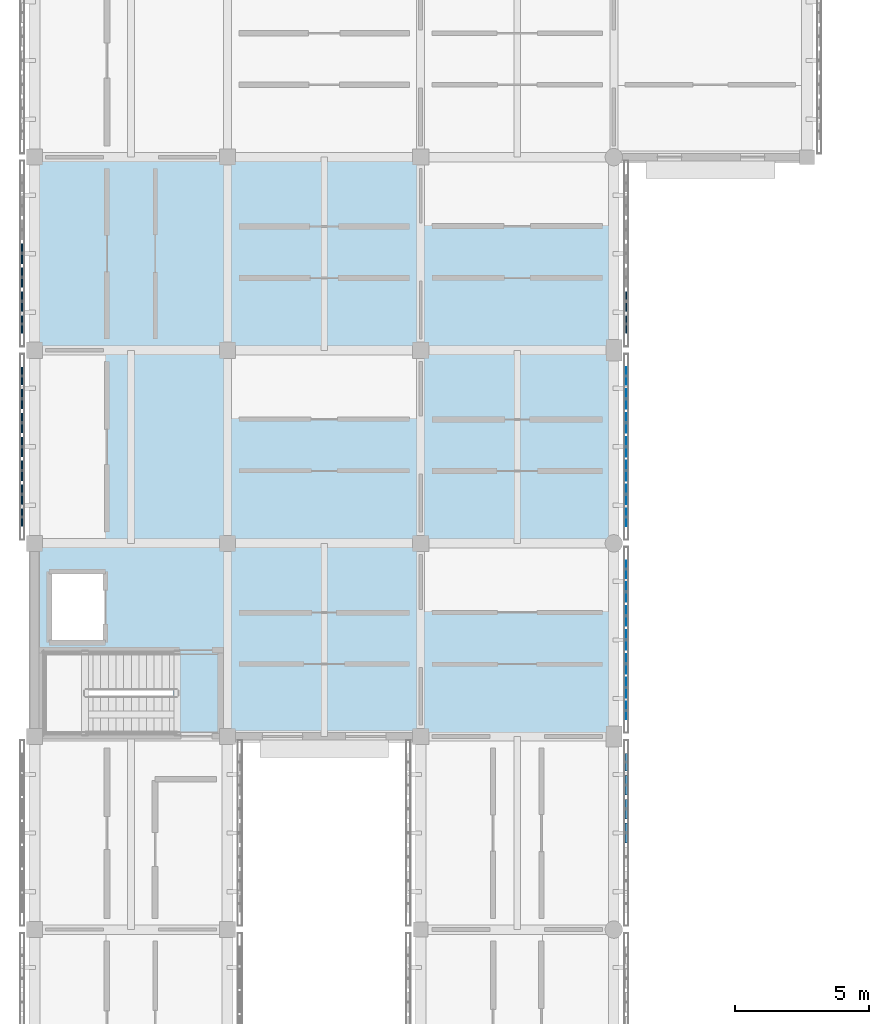
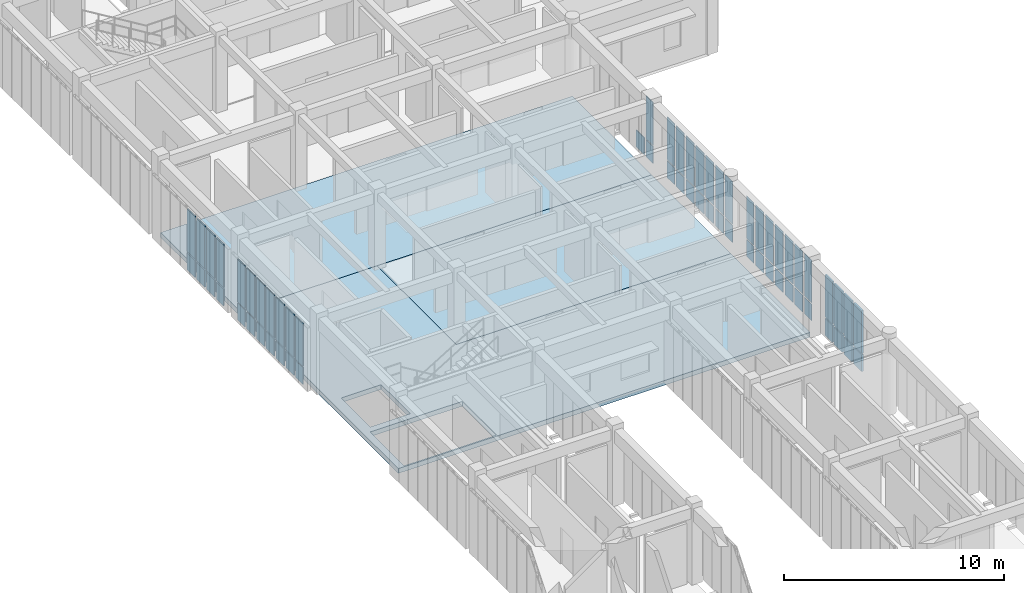
# One storey, part 95 of 171: 61 plates, 3 slabs, 6 elements without a shape of their own.
"""IFC4 building model written with IfcOpenShell, lengths in metres."""

from ifc_helpers import new_model, si_unit, direction, frame, origin, origin_2d, place, context, subcontext, project, spatial, polyline, rectangle, outline, extrude, material, layer, layer_set, type_object, element, aggregate, save


model = new_model("IFC4")

# Units and contexts
model_context = context("Model", 3, precision=1e-05, world=origin(), true_north=direction((0.0, 1.0)))
body_context = subcontext(model_context, "Body", "Model", "MODEL_VIEW")
ifc_project = project(units=[si_unit("LENGTHUNIT", "METRE"), si_unit("AREAUNIT", "SQUARE_METRE"), si_unit("VOLUMEUNIT", "CUBIC_METRE"), si_unit("PLANEANGLEUNIT", "RADIAN"), si_unit("MASSUNIT", "GRAM", prefix="KILO")], contexts=[model_context])

# Site, building, storey
site_placement = place(None, origin())
site = spatial("IfcSite", under=ifc_project, at=site_placement, CompositionType="ELEMENT")
building_placement = place(site_placement, origin())
building = spatial("IfcBuilding", under=site, at=building_placement, Name="Aldebral Square Health Centre", CompositionType="ELEMENT")
storey_placement = place(building_placement, frame((0.0, 0.0, 4.5)))
storey = spatial("IfcBuildingStorey", under=building, at=storey_placement, Name="L01", CompositionType="ELEMENT", Elevation=4.5)

# Curtain wall, plates
ifc_material_1 = material(Name="Aluminium and low-E solar glass", Category="aluminium")
curtain_wall_type = type_object("IfcCurtainWallType", Name="CW-FIN-SYS", PredefinedType="USERDEFINED", material=ifc_material_1)
curtain_wall_1_placement = place(storey_placement, origin())
curtain_wall_1 = element("IfcCurtainWall", 1, at=curtain_wall_1_placement, inside=storey, type_object=curtain_wall_type, Name="L01 V6 finned curtain wall L01-V6-02-04-E", ObjectType="SOLAR_CURTAIN_WALL", PredefinedType="USERDEFINED")
ifc_material_2 = material(Name="Solar-control low-E double glass", Category="glass")
ifc_layer_1 = layer(ifc_material_2, 0.02001953125, Name="Solar-control low-E double glass", Category="glass")
ifc_layer_set_1 = layer_set([ifc_layer_1], Name="Solar-control low-E double glass")
plate_type_1 = type_object("IfcPlateType", Name="CWP-GLZ-1", PredefinedType="CURTAIN_PANEL", material=ifc_layer_set_1)
plate_1_placement = place(storey_placement, frame((22.06005859375, 29.765625, 0.074951171875), z_axis=(0.0, 0.0, 1.0), x_axis=(0.0, 1.0, 0.0)))
plate_1 = element("IfcPlate", 2, at=plate_1_placement, type_object=plate_type_1, Name="CW1 panel 1.1", PredefinedType="CURTAIN_PANEL", context=body_context, shape_type="SweptSolid", body=[
    extrude(rectangle(XDim=0.6513671875, YDim=0.02001953125, at=origin_2d()), origin(), (0.0, 0.0, 1.0), 0.9375),
])
plate_2_placement = place(storey_placement, frame((22.06005859375, 29.765625, 1.087646484375), z_axis=(0.0, 0.0, 1.0), x_axis=(0.0, 1.0, 0.0)))
plate_2 = element("IfcPlate", 3, at=plate_2_placement, type_object=plate_type_1, Name="CW1 panel 1.2", PredefinedType="CURTAIN_PANEL", context=body_context, shape_type="SweptSolid", body=[
    extrude(rectangle(XDim=0.6513671875, YDim=0.02001953125, at=origin_2d()), origin(), (0.0, 0.0, 1.0), 2.357421875),
])
plate_3_placement = place(storey_placement, frame((22.06005859375, 30.6171875, 0.074951171875), z_axis=(0.0, 0.0, 1.0), x_axis=(0.0, 1.0, 0.0)))
plate_3 = element("IfcPlate", 4, at=plate_3_placement, type_object=plate_type_1, Name="CW1 panel 2.1", PredefinedType="CURTAIN_PANEL", context=body_context, shape_type="SweptSolid", body=[
    extrude(rectangle(XDim=0.7314453125, YDim=0.02001953125, at=origin_2d()), origin(), (0.0, 0.0, 1.0), 0.9375),
])
plate_4_placement = place(storey_placement, frame((22.06005859375, 30.6171875, 1.087646484375), z_axis=(0.0, 0.0, 1.0), x_axis=(0.0, 1.0, 0.0)))
plate_4 = element("IfcPlate", 5, at=plate_4_placement, type_object=plate_type_1, Name="CW1 panel 2.2", PredefinedType="CURTAIN_PANEL", context=body_context, shape_type="SweptSolid", body=[
    extrude(rectangle(XDim=0.7314453125, YDim=0.02001953125, at=origin_2d()), origin(), (0.0, 0.0, 1.0), 2.357421875),
])
plate_5_placement = place(storey_placement, frame((22.06005859375, 31.508544921875, 0.074951171875), z_axis=(0.0, 0.0, 1.0), x_axis=(0.0, 1.0, 0.0)))
plate_5 = element("IfcPlate", 6, at=plate_5_placement, type_object=plate_type_1, Name="CW1 panel 3.1", PredefinedType="CURTAIN_PANEL", context=body_context, shape_type="SweptSolid", body=[
    extrude(rectangle(XDim=0.7314453125, YDim=0.02001953125, at=origin_2d()), origin(), (0.0, 0.0, 1.0), 0.9375),
])
plate_6_placement = place(storey_placement, frame((22.06005859375, 31.508544921875, 1.087646484375), z_axis=(0.0, 0.0, 1.0), x_axis=(0.0, 1.0, 0.0)))
plate_6 = element("IfcPlate", 7, at=plate_6_placement, type_object=plate_type_1, Name="CW1 panel 3.2", PredefinedType="CURTAIN_PANEL", context=body_context, shape_type="SweptSolid", body=[
    extrude(rectangle(XDim=0.7314453125, YDim=0.02001953125, at=origin_2d()), origin(), (0.0, 0.0, 1.0), 2.357421875),
])
plate_7_placement = place(storey_placement, frame((22.06005859375, 32.39990234375, 0.074951171875), z_axis=(0.0, 0.0, 1.0), x_axis=(0.0, 1.0, 0.0)))
plate_7 = element("IfcPlate", 8, at=plate_7_placement, type_object=plate_type_1, Name="CW1 panel 4.1", PredefinedType="CURTAIN_PANEL", context=body_context, shape_type="SweptSolid", body=[
    extrude(rectangle(XDim=0.7314453125, YDim=0.02001953125, at=origin_2d()), origin(), (0.0, 0.0, 1.0), 0.9375),
])
plate_8_placement = place(storey_placement, frame((22.06005859375, 32.39990234375, 1.087646484375), z_axis=(0.0, 0.0, 1.0), x_axis=(0.0, 1.0, 0.0)))
plate_8 = element("IfcPlate", 9, at=plate_8_placement, type_object=plate_type_1, Name="CW1 panel 4.2", PredefinedType="CURTAIN_PANEL", context=body_context, shape_type="SweptSolid", body=[
    extrude(rectangle(XDim=0.7314453125, YDim=0.02001953125, at=origin_2d()), origin(), (0.0, 0.0, 1.0), 2.357421875),
])
plate_9_placement = place(storey_placement, frame((22.06005859375, 33.29150390625, 0.074951171875), z_axis=(0.0, 0.0, 1.0), x_axis=(0.0, 1.0, 0.0)))
plate_9 = element("IfcPlate", 10, at=plate_9_placement, type_object=plate_type_1, Name="CW1 panel 5.1", PredefinedType="CURTAIN_PANEL", context=body_context, shape_type="SweptSolid", body=[
    extrude(rectangle(XDim=0.7314453125, YDim=0.02001953125, at=origin_2d()), origin(), (0.0, 0.0, 1.0), 0.9375),
])
plate_10_placement = place(storey_placement, frame((22.06005859375, 33.29150390625, 1.087646484375), z_axis=(0.0, 0.0, 1.0), x_axis=(0.0, 1.0, 0.0)))
plate_10 = element("IfcPlate", 11, at=plate_10_placement, type_object=plate_type_1, Name="CW1 panel 5.2", PredefinedType="CURTAIN_PANEL", context=body_context, shape_type="SweptSolid", body=[
    extrude(rectangle(XDim=0.7314453125, YDim=0.02001953125, at=origin_2d()), origin(), (0.0, 0.0, 1.0), 2.357421875),
])
plate_11_placement = place(storey_placement, frame((22.06005859375, 34.182861328125, 0.074951171875), z_axis=(0.0, 0.0, 1.0), x_axis=(0.0, 1.0, 0.0)))
plate_11 = element("IfcPlate", 12, at=plate_11_placement, type_object=plate_type_1, Name="CW1 panel 6.1", PredefinedType="CURTAIN_PANEL", context=body_context, shape_type="SweptSolid", body=[
    extrude(rectangle(XDim=0.7314453125, YDim=0.02001953125, at=origin_2d()), origin(), (0.0, 0.0, 1.0), 0.9375),
])
plate_12_placement = place(storey_placement, frame((22.06005859375, 34.182861328125, 1.087646484375), z_axis=(0.0, 0.0, 1.0), x_axis=(0.0, 1.0, 0.0)))
plate_12 = element("IfcPlate", 13, at=plate_12_placement, type_object=plate_type_1, Name="CW1 panel 6.2", PredefinedType="CURTAIN_PANEL", context=body_context, shape_type="SweptSolid", body=[
    extrude(rectangle(XDim=0.7314453125, YDim=0.02001953125, at=origin_2d()), origin(), (0.0, 0.0, 1.0), 2.357421875),
])
plate_13_placement = place(storey_placement, frame((22.06005859375, 35.0341796875, 0.074951171875), z_axis=(0.0, 0.0, 1.0), x_axis=(0.0, 1.0, 0.0)))
plate_13 = element("IfcPlate", 14, at=plate_13_placement, type_object=plate_type_1, Name="CW1 panel 7.1", PredefinedType="CURTAIN_PANEL", context=body_context, shape_type="SweptSolid", body=[
    extrude(rectangle(XDim=0.6513671875, YDim=0.02001953125, at=origin_2d()), origin(), (0.0, 0.0, 1.0), 0.9375),
])
plate_14_placement = place(storey_placement, frame((22.06005859375, 35.0341796875, 1.087646484375), z_axis=(0.0, 0.0, 1.0), x_axis=(0.0, 1.0, 0.0)))
plate_14 = element("IfcPlate", 15, at=plate_14_placement, type_object=plate_type_1, Name="CW1 panel 7.2", PredefinedType="CURTAIN_PANEL", context=body_context, shape_type="SweptSolid", body=[
    extrude(rectangle(XDim=0.6513671875, YDim=0.02001953125, at=origin_2d()), origin(), (0.0, 0.0, 1.0), 2.357421875),
])
aggregate(curtain_wall_1, [plate_1, plate_2, plate_3, plate_4, plate_5, plate_6, plate_7, plate_8, plate_9, plate_10, plate_11, plate_12, plate_13, plate_14])

curtain_wall_2_placement = place(storey_placement, origin())
curtain_wall_2 = element("IfcCurtainWall", 16, at=curtain_wall_2_placement, inside=storey, type_object=curtain_wall_type, Name="L01 V6 finned curtain wall L01-V6-02-05-E", ObjectType="SOLAR_CURTAIN_WALL", PredefinedType="USERDEFINED")
ifc_layer_2 = layer(ifc_material_2, 0.030029296875, Name="Solar-control low-E double glass", Category="glass")
ifc_layer_set_2 = layer_set([ifc_layer_2], Name="Solar-control low-E double glass")
plate_type_2 = type_object("IfcPlateType", Name="CWP-GLZ-2", PredefinedType="CURTAIN_PANEL", material=ifc_layer_set_2)
plate_15_placement = place(storey_placement, frame((22.06005859375, 36.9658203125, 0.074951171875), z_axis=(0.0, 0.0, 1.0), x_axis=(0.0, 1.0, 0.0)))
plate_15 = element("IfcPlate", 17, at=plate_15_placement, type_object=plate_type_2, Name="CW1 panel 1.1", PredefinedType="CURTAIN_PANEL", context=body_context, shape_type="SweptSolid", body=[
    extrude(rectangle(XDim=0.6513671875, YDim=0.030029296875, at=origin_2d()), origin(), (0.0, 0.0, 1.0), 0.9375),
])
plate_16_placement = place(storey_placement, frame((22.06005859375, 36.9658203125, 1.087646484375), z_axis=(0.0, 0.0, 1.0), x_axis=(0.0, 1.0, 0.0)))
plate_16 = element("IfcPlate", 18, at=plate_16_placement, type_object=plate_type_2, Name="CW1 panel 1.2", PredefinedType="CURTAIN_PANEL", context=body_context, shape_type="SweptSolid", body=[
    extrude(rectangle(XDim=0.6513671875, YDim=0.030029296875, at=origin_2d()), origin(), (0.0, 0.0, 1.0), 2.357421875),
])
plate_17_placement = place(storey_placement, frame((22.06005859375, 37.817138671875, 0.074951171875), z_axis=(0.0, 0.0, 1.0), x_axis=(0.0, 1.0, 0.0)))
plate_17 = element("IfcPlate", 19, at=plate_17_placement, type_object=plate_type_2, Name="CW1 panel 2.1", PredefinedType="CURTAIN_PANEL", context=body_context, shape_type="SweptSolid", body=[
    extrude(rectangle(XDim=0.7314453125, YDim=0.030029296875, at=origin_2d()), origin(), (0.0, 0.0, 1.0), 0.9375),
])
plate_18_placement = place(storey_placement, frame((22.06005859375, 37.817138671875, 1.087646484375), z_axis=(0.0, 0.0, 1.0), x_axis=(0.0, 1.0, 0.0)))
plate_18 = element("IfcPlate", 20, at=plate_18_placement, type_object=plate_type_2, Name="CW1 panel 2.2", PredefinedType="CURTAIN_PANEL", context=body_context, shape_type="SweptSolid", body=[
    extrude(rectangle(XDim=0.7314453125, YDim=0.030029296875, at=origin_2d()), origin(), (0.0, 0.0, 1.0), 2.357421875),
])
plate_19_placement = place(storey_placement, frame((22.06005859375, 38.70849609375, 0.074951171875), z_axis=(0.0, 0.0, 1.0), x_axis=(0.0, 1.0, 0.0)))
plate_19 = element("IfcPlate", 21, at=plate_19_placement, type_object=plate_type_2, Name="CW1 panel 3.1", PredefinedType="CURTAIN_PANEL", context=body_context, shape_type="SweptSolid", body=[
    extrude(rectangle(XDim=0.7314453125, YDim=0.030029296875, at=origin_2d()), origin(), (0.0, 0.0, 1.0), 0.9375),
])
plate_20_placement = place(storey_placement, frame((22.06005859375, 38.70849609375, 1.087646484375), z_axis=(0.0, 0.0, 1.0), x_axis=(0.0, 1.0, 0.0)))
plate_20 = element("IfcPlate", 22, at=plate_20_placement, type_object=plate_type_2, Name="CW1 panel 3.2", PredefinedType="CURTAIN_PANEL", context=body_context, shape_type="SweptSolid", body=[
    extrude(rectangle(XDim=0.7314453125, YDim=0.030029296875, at=origin_2d()), origin(), (0.0, 0.0, 1.0), 2.357421875),
])
plate_21_placement = place(storey_placement, frame((22.06005859375, 39.60009765625, 0.074951171875), z_axis=(0.0, 0.0, 1.0), x_axis=(0.0, 1.0, 0.0)))
plate_21 = element("IfcPlate", 23, at=plate_21_placement, type_object=plate_type_2, Name="CW1 panel 4.1", PredefinedType="CURTAIN_PANEL", context=body_context, shape_type="SweptSolid", body=[
    extrude(rectangle(XDim=0.7314453125, YDim=0.030029296875, at=origin_2d()), origin(), (0.0, 0.0, 1.0), 0.9375),
])
plate_22_placement = place(storey_placement, frame((22.06005859375, 39.60009765625, 1.087646484375), z_axis=(0.0, 0.0, 1.0), x_axis=(0.0, 1.0, 0.0)))
plate_22 = element("IfcPlate", 24, at=plate_22_placement, type_object=plate_type_2, Name="CW1 panel 4.2", PredefinedType="CURTAIN_PANEL", context=body_context, shape_type="SweptSolid", body=[
    extrude(rectangle(XDim=0.7314453125, YDim=0.030029296875, at=origin_2d()), origin(), (0.0, 0.0, 1.0), 2.357421875),
])
plate_23_placement = place(storey_placement, frame((22.06005859375, 40.491455078125, 0.074951171875), z_axis=(0.0, 0.0, 1.0), x_axis=(0.0, 1.0, 0.0)))
plate_23 = element("IfcPlate", 25, at=plate_23_placement, type_object=plate_type_2, Name="CW1 panel 5.1", PredefinedType="CURTAIN_PANEL", context=body_context, shape_type="SweptSolid", body=[
    extrude(rectangle(XDim=0.7314453125, YDim=0.030029296875, at=origin_2d()), origin(), (0.0, 0.0, 1.0), 0.9375),
])
plate_24_placement = place(storey_placement, frame((22.06005859375, 40.491455078125, 1.087646484375), z_axis=(0.0, 0.0, 1.0), x_axis=(0.0, 1.0, 0.0)))
plate_24 = element("IfcPlate", 26, at=plate_24_placement, type_object=plate_type_2, Name="CW1 panel 5.2", PredefinedType="CURTAIN_PANEL", context=body_context, shape_type="SweptSolid", body=[
    extrude(rectangle(XDim=0.7314453125, YDim=0.030029296875, at=origin_2d()), origin(), (0.0, 0.0, 1.0), 2.357421875),
])
plate_25_placement = place(storey_placement, frame((22.06005859375, 41.3828125, 0.074951171875), z_axis=(0.0, 0.0, 1.0), x_axis=(0.0, 1.0, 0.0)))
plate_25 = element("IfcPlate", 27, at=plate_25_placement, type_object=plate_type_2, Name="CW1 panel 6.1", PredefinedType="CURTAIN_PANEL", context=body_context, shape_type="SweptSolid", body=[
    extrude(rectangle(XDim=0.7314453125, YDim=0.030029296875, at=origin_2d()), origin(), (0.0, 0.0, 1.0), 0.9375),
])
plate_26_placement = place(storey_placement, frame((22.06005859375, 41.3828125, 1.087646484375), z_axis=(0.0, 0.0, 1.0), x_axis=(0.0, 1.0, 0.0)))
plate_26 = element("IfcPlate", 28, at=plate_26_placement, type_object=plate_type_2, Name="CW1 panel 6.2", PredefinedType="CURTAIN_PANEL", context=body_context, shape_type="SweptSolid", body=[
    extrude(rectangle(XDim=0.7314453125, YDim=0.030029296875, at=origin_2d()), origin(), (0.0, 0.0, 1.0), 2.357421875),
])
plate_27_placement = place(storey_placement, frame((22.06005859375, 42.234375, 0.074951171875), z_axis=(0.0, 0.0, 1.0), x_axis=(0.0, 1.0, 0.0)))
plate_27 = element("IfcPlate", 29, at=plate_27_placement, type_object=plate_type_2, Name="CW1 panel 7.1", PredefinedType="CURTAIN_PANEL", context=body_context, shape_type="SweptSolid", body=[
    extrude(rectangle(XDim=0.6513671875, YDim=0.030029296875, at=origin_2d()), origin(), (0.0, 0.0, 1.0), 0.9375),
])
plate_28_placement = place(storey_placement, frame((22.06005859375, 42.234375, 1.087646484375), z_axis=(0.0, 0.0, 1.0), x_axis=(0.0, 1.0, 0.0)))
plate_28 = element("IfcPlate", 30, at=plate_28_placement, type_object=plate_type_2, Name="CW1 panel 7.2", PredefinedType="CURTAIN_PANEL", context=body_context, shape_type="SweptSolid", body=[
    extrude(rectangle(XDim=0.6513671875, YDim=0.030029296875, at=origin_2d()), origin(), (0.0, 0.0, 1.0), 2.357421875),
])
aggregate(curtain_wall_2, [plate_15, plate_16, plate_17, plate_18, plate_19, plate_20, plate_21, plate_22, plate_23, plate_24, plate_25, plate_26, plate_27, plate_28])

curtain_wall_3_placement = place(storey_placement, origin())
curtain_wall_3 = element("IfcCurtainWall", 31, at=curtain_wall_3_placement, inside=storey, type_object=curtain_wall_type, Name="L01 V6 finned curtain wall L01-V6-02-06-E", ObjectType="SOLAR_CURTAIN_WALL", PredefinedType="USERDEFINED")
ifc_layer_3 = layer(ifc_material_2, 0.0400390625, Name="Solar-control low-E double glass", Category="glass")
ifc_layer_set_3 = layer_set([ifc_layer_3], Name="Solar-control low-E double glass")
plate_type_3 = type_object("IfcPlateType", Name="CWP-GLZ-3", PredefinedType="CURTAIN_PANEL", material=ifc_layer_set_3)
plate_29_placement = place(storey_placement, frame((22.06005859375, 44.165771484375, 0.074951171875), z_axis=(0.0, 0.0, 1.0), x_axis=(0.0, 1.0, 0.0)))
plate_29 = element("IfcPlate", 32, at=plate_29_placement, type_object=plate_type_3, Name="CW1 panel 1.1", PredefinedType="CURTAIN_PANEL", context=body_context, shape_type="SweptSolid", body=[
    extrude(rectangle(XDim=0.6513671875, YDim=0.0400390625, at=origin_2d()), origin(), (0.0, 0.0, 1.0), 0.9375),
])
plate_30_placement = place(storey_placement, frame((22.06005859375, 44.165771484375, 1.087646484375), z_axis=(0.0, 0.0, 1.0), x_axis=(0.0, 1.0, 0.0)))
plate_30 = element("IfcPlate", 33, at=plate_30_placement, type_object=plate_type_3, Name="CW1 panel 1.2", PredefinedType="CURTAIN_PANEL", context=body_context, shape_type="SweptSolid", body=[
    extrude(rectangle(XDim=0.6513671875, YDim=0.0400390625, at=origin_2d()), origin(), (0.0, 0.0, 1.0), 2.357421875),
])
plate_31_placement = place(storey_placement, frame((22.06005859375, 45.01708984375, 0.074951171875), z_axis=(0.0, 0.0, 1.0), x_axis=(0.0, 1.0, 0.0)))
plate_31 = element("IfcPlate", 34, at=plate_31_placement, type_object=plate_type_3, Name="CW1 panel 2.1", PredefinedType="CURTAIN_PANEL", context=body_context, shape_type="SweptSolid", body=[
    extrude(rectangle(XDim=0.7314453125, YDim=0.0400390625, at=origin_2d()), origin(), (0.0, 0.0, 1.0), 0.9375),
])
aggregate(curtain_wall_3, [plate_29, plate_30, plate_31])

curtain_wall_4_placement = place(storey_placement, origin())
curtain_wall_4 = element("IfcCurtainWall", 35, at=curtain_wall_4_placement, inside=storey, type_object=curtain_wall_type, Name="L01 V6 finned curtain wall L01-V6-00-05-W", ObjectType="SOLAR_CURTAIN_WALL", PredefinedType="USERDEFINED")
ifc_layer_4 = layer(ifc_material_2, 0.050048828125, Name="Solar-control low-E double glass", Category="glass")
ifc_layer_set_4 = layer_set([ifc_layer_4], Name="Solar-control low-E double glass")
plate_type_4 = type_object("IfcPlateType", Name="CWP-GLZ-4", PredefinedType="CURTAIN_PANEL", material=ifc_layer_set_4)
plate_32_placement = place(storey_placement, frame((-0.4599609375, 42.234375, 0.074951171875), z_axis=(0.0, 0.0, 1.0), x_axis=(0.0, -1.0, 0.0)))
plate_32 = element("IfcPlate", 36, at=plate_32_placement, type_object=plate_type_4, Name="CW1 panel 1.1", PredefinedType="CURTAIN_PANEL", context=body_context, shape_type="SweptSolid", body=[
    extrude(rectangle(XDim=0.6513671875, YDim=0.050048828125, at=origin_2d()), origin(), (0.0, 0.0, 1.0), 0.9375),
])
plate_33_placement = place(storey_placement, frame((-0.4599609375, 42.234375, 1.087646484375), z_axis=(0.0, 0.0, 1.0), x_axis=(0.0, -1.0, 0.0)))
plate_33 = element("IfcPlate", 37, at=plate_33_placement, type_object=plate_type_4, Name="CW1 panel 1.2", PredefinedType="CURTAIN_PANEL", context=body_context, shape_type="SweptSolid", body=[
    extrude(rectangle(XDim=0.6513671875, YDim=0.050048828125, at=origin_2d()), origin(), (0.0, 0.0, 1.0), 2.357421875),
])
plate_34_placement = place(storey_placement, frame((-0.4599609375, 41.3828125, 0.074951171875), z_axis=(0.0, 0.0, 1.0), x_axis=(0.0, -1.0, 0.0)))
plate_34 = element("IfcPlate", 38, at=plate_34_placement, type_object=plate_type_4, Name="CW1 panel 2.1", PredefinedType="CURTAIN_PANEL", context=body_context, shape_type="SweptSolid", body=[
    extrude(rectangle(XDim=0.7314453125, YDim=0.050048828125, at=origin_2d()), origin(), (0.0, 0.0, 1.0), 0.9375),
])
plate_35_placement = place(storey_placement, frame((-0.4599609375, 41.3828125, 1.087646484375), z_axis=(0.0, 0.0, 1.0), x_axis=(0.0, -1.0, 0.0)))
plate_35 = element("IfcPlate", 39, at=plate_35_placement, type_object=plate_type_4, Name="CW1 panel 2.2", PredefinedType="CURTAIN_PANEL", context=body_context, shape_type="SweptSolid", body=[
    extrude(rectangle(XDim=0.7314453125, YDim=0.050048828125, at=origin_2d()), origin(), (0.0, 0.0, 1.0), 2.357421875),
])
plate_36_placement = place(storey_placement, frame((-0.4599609375, 40.491455078125, 0.074951171875), z_axis=(0.0, 0.0, 1.0), x_axis=(0.0, -1.0, 0.0)))
plate_36 = element("IfcPlate", 40, at=plate_36_placement, type_object=plate_type_4, Name="CW1 panel 3.1", PredefinedType="CURTAIN_PANEL", context=body_context, shape_type="SweptSolid", body=[
    extrude(rectangle(XDim=0.7314453125, YDim=0.050048828125, at=origin_2d()), origin(), (0.0, 0.0, 1.0), 0.9375),
])
plate_37_placement = place(storey_placement, frame((-0.4599609375, 40.491455078125, 1.087646484375), z_axis=(0.0, 0.0, 1.0), x_axis=(0.0, -1.0, 0.0)))
plate_37 = element("IfcPlate", 41, at=plate_37_placement, type_object=plate_type_4, Name="CW1 panel 3.2", PredefinedType="CURTAIN_PANEL", context=body_context, shape_type="SweptSolid", body=[
    extrude(rectangle(XDim=0.7314453125, YDim=0.050048828125, at=origin_2d()), origin(), (0.0, 0.0, 1.0), 2.357421875),
])
plate_38_placement = place(storey_placement, frame((-0.4599609375, 39.60009765625, 0.074951171875), z_axis=(0.0, 0.0, 1.0), x_axis=(0.0, -1.0, 0.0)))
plate_38 = element("IfcPlate", 42, at=plate_38_placement, type_object=plate_type_4, Name="CW1 panel 4.1", PredefinedType="CURTAIN_PANEL", context=body_context, shape_type="SweptSolid", body=[
    extrude(rectangle(XDim=0.7314453125, YDim=0.050048828125, at=origin_2d()), origin(), (0.0, 0.0, 1.0), 0.9375),
])
plate_39_placement = place(storey_placement, frame((-0.4599609375, 39.60009765625, 1.087646484375), z_axis=(0.0, 0.0, 1.0), x_axis=(0.0, -1.0, 0.0)))
plate_39 = element("IfcPlate", 43, at=plate_39_placement, type_object=plate_type_4, Name="CW1 panel 4.2", PredefinedType="CURTAIN_PANEL", context=body_context, shape_type="SweptSolid", body=[
    extrude(rectangle(XDim=0.7314453125, YDim=0.050048828125, at=origin_2d()), origin(), (0.0, 0.0, 1.0), 2.357421875),
])
plate_40_placement = place(storey_placement, frame((-0.4599609375, 38.70849609375, 0.074951171875), z_axis=(0.0, 0.0, 1.0), x_axis=(0.0, -1.0, 0.0)))
plate_40 = element("IfcPlate", 44, at=plate_40_placement, type_object=plate_type_4, Name="CW1 panel 5.1", PredefinedType="CURTAIN_PANEL", context=body_context, shape_type="SweptSolid", body=[
    extrude(rectangle(XDim=0.7314453125, YDim=0.050048828125, at=origin_2d()), origin(), (0.0, 0.0, 1.0), 0.9375),
])
plate_41_placement = place(storey_placement, frame((-0.4599609375, 38.70849609375, 1.087646484375), z_axis=(0.0, 0.0, 1.0), x_axis=(0.0, -1.0, 0.0)))
plate_41 = element("IfcPlate", 45, at=plate_41_placement, type_object=plate_type_4, Name="CW1 panel 5.2", PredefinedType="CURTAIN_PANEL", context=body_context, shape_type="SweptSolid", body=[
    extrude(rectangle(XDim=0.7314453125, YDim=0.050048828125, at=origin_2d()), origin(), (0.0, 0.0, 1.0), 2.357421875),
])
plate_42_placement = place(storey_placement, frame((-0.4599609375, 37.817138671875, 0.074951171875), z_axis=(0.0, 0.0, 1.0), x_axis=(0.0, -1.0, 0.0)))
plate_42 = element("IfcPlate", 46, at=plate_42_placement, type_object=plate_type_4, Name="CW1 panel 6.1", PredefinedType="CURTAIN_PANEL", context=body_context, shape_type="SweptSolid", body=[
    extrude(rectangle(XDim=0.7314453125, YDim=0.050048828125, at=origin_2d()), origin(), (0.0, 0.0, 1.0), 0.9375),
])
plate_43_placement = place(storey_placement, frame((-0.4599609375, 37.817138671875, 1.087646484375), z_axis=(0.0, 0.0, 1.0), x_axis=(0.0, -1.0, 0.0)))
plate_43 = element("IfcPlate", 47, at=plate_43_placement, type_object=plate_type_4, Name="CW1 panel 6.2", PredefinedType="CURTAIN_PANEL", context=body_context, shape_type="SweptSolid", body=[
    extrude(rectangle(XDim=0.7314453125, YDim=0.050048828125, at=origin_2d()), origin(), (0.0, 0.0, 1.0), 2.357421875),
])
plate_44_placement = place(storey_placement, frame((-0.4599609375, 36.9658203125, 0.074951171875), z_axis=(0.0, 0.0, 1.0), x_axis=(0.0, -1.0, 0.0)))
plate_44 = element("IfcPlate", 48, at=plate_44_placement, type_object=plate_type_4, Name="CW1 panel 7.1", PredefinedType="CURTAIN_PANEL", context=body_context, shape_type="SweptSolid", body=[
    extrude(rectangle(XDim=0.6513671875, YDim=0.050048828125, at=origin_2d()), origin(), (0.0, 0.0, 1.0), 0.9375),
])
plate_45_placement = place(storey_placement, frame((-0.4599609375, 36.9658203125, 1.087646484375), z_axis=(0.0, 0.0, 1.0), x_axis=(0.0, -1.0, 0.0)))
plate_45 = element("IfcPlate", 49, at=plate_45_placement, type_object=plate_type_4, Name="CW1 panel 7.2", PredefinedType="CURTAIN_PANEL", context=body_context, shape_type="SweptSolid", body=[
    extrude(rectangle(XDim=0.6513671875, YDim=0.050048828125, at=origin_2d()), origin(), (0.0, 0.0, 1.0), 2.357421875),
])
aggregate(curtain_wall_4, [plate_32, plate_33, plate_34, plate_35, plate_36, plate_37, plate_38, plate_39, plate_40, plate_41, plate_42, plate_43, plate_44, plate_45])

curtain_wall_5_placement = place(storey_placement, origin())
curtain_wall_5 = element("IfcCurtainWall", 50, at=curtain_wall_5_placement, inside=storey, type_object=curtain_wall_type, Name="L01 V6 finned curtain wall L01-V6-00-06-W", ObjectType="SOLAR_CURTAIN_WALL", PredefinedType="USERDEFINED")
ifc_layer_5 = layer(ifc_material_2, 0.06005859375, Name="Solar-control low-E double glass", Category="glass")
ifc_layer_set_5 = layer_set([ifc_layer_5], Name="Solar-control low-E double glass")
plate_type_5 = type_object("IfcPlateType", Name="CWP-GLZ-5", PredefinedType="CURTAIN_PANEL", material=ifc_layer_set_5)
plate_46_placement = place(storey_placement, frame((-0.4599609375, 46.800048828125, 0.074951171875), z_axis=(0.0, 0.0, 1.0), x_axis=(0.0, -1.0, 0.0)))
plate_46 = element("IfcPlate", 51, at=plate_46_placement, type_object=plate_type_5, Name="CW1 panel 4.1", PredefinedType="CURTAIN_PANEL", context=body_context, shape_type="SweptSolid", body=[
    extrude(rectangle(XDim=0.7314453125, YDim=0.06005859375, at=origin_2d()), origin(), (0.0, 0.0, 1.0), 0.9375),
])
plate_47_placement = place(storey_placement, frame((-0.4599609375, 46.800048828125, 1.087646484375), z_axis=(0.0, 0.0, 1.0), x_axis=(0.0, -1.0, 0.0)))
plate_47 = element("IfcPlate", 52, at=plate_47_placement, type_object=plate_type_5, Name="CW1 panel 4.2", PredefinedType="CURTAIN_PANEL", context=body_context, shape_type="SweptSolid", body=[
    extrude(rectangle(XDim=0.7314453125, YDim=0.06005859375, at=origin_2d()), origin(), (0.0, 0.0, 1.0), 2.357421875),
])
plate_48_placement = place(storey_placement, frame((-0.4599609375, 45.90869140625, 0.074951171875), z_axis=(0.0, 0.0, 1.0), x_axis=(0.0, -1.0, 0.0)))
plate_48 = element("IfcPlate", 53, at=plate_48_placement, type_object=plate_type_5, Name="CW1 panel 5.1", PredefinedType="CURTAIN_PANEL", context=body_context, shape_type="SweptSolid", body=[
    extrude(rectangle(XDim=0.7314453125, YDim=0.06005859375, at=origin_2d()), origin(), (0.0, 0.0, 1.0), 0.9375),
])
plate_49_placement = place(storey_placement, frame((-0.4599609375, 45.90869140625, 1.087646484375), z_axis=(0.0, 0.0, 1.0), x_axis=(0.0, -1.0, 0.0)))
plate_49 = element("IfcPlate", 54, at=plate_49_placement, type_object=plate_type_5, Name="CW1 panel 5.2", PredefinedType="CURTAIN_PANEL", context=body_context, shape_type="SweptSolid", body=[
    extrude(rectangle(XDim=0.7314453125, YDim=0.06005859375, at=origin_2d()), origin(), (0.0, 0.0, 1.0), 2.357421875),
])
plate_50_placement = place(storey_placement, frame((-0.4599609375, 45.01708984375, 0.074951171875), z_axis=(0.0, 0.0, 1.0), x_axis=(0.0, -1.0, 0.0)))
plate_50 = element("IfcPlate", 55, at=plate_50_placement, type_object=plate_type_5, Name="CW1 panel 6.1", PredefinedType="CURTAIN_PANEL", context=body_context, shape_type="SweptSolid", body=[
    extrude(rectangle(XDim=0.7314453125, YDim=0.06005859375, at=origin_2d()), origin(), (0.0, 0.0, 1.0), 0.9375),
])
plate_51_placement = place(storey_placement, frame((-0.4599609375, 45.01708984375, 1.087646484375), z_axis=(0.0, 0.0, 1.0), x_axis=(0.0, -1.0, 0.0)))
plate_51 = element("IfcPlate", 56, at=plate_51_placement, type_object=plate_type_5, Name="CW1 panel 6.2", PredefinedType="CURTAIN_PANEL", context=body_context, shape_type="SweptSolid", body=[
    extrude(rectangle(XDim=0.7314453125, YDim=0.06005859375, at=origin_2d()), origin(), (0.0, 0.0, 1.0), 2.357421875),
])
plate_52_placement = place(storey_placement, frame((-0.4599609375, 44.165771484375, 0.074951171875), z_axis=(0.0, 0.0, 1.0), x_axis=(0.0, -1.0, 0.0)))
plate_52 = element("IfcPlate", 57, at=plate_52_placement, type_object=plate_type_5, Name="CW1 panel 7.1", PredefinedType="CURTAIN_PANEL", context=body_context, shape_type="SweptSolid", body=[
    extrude(rectangle(XDim=0.6513671875, YDim=0.06005859375, at=origin_2d()), origin(), (0.0, 0.0, 1.0), 0.9375),
])
plate_53_placement = place(storey_placement, frame((-0.4599609375, 44.165771484375, 1.087646484375), z_axis=(0.0, 0.0, 1.0), x_axis=(0.0, -1.0, 0.0)))
plate_53 = element("IfcPlate", 58, at=plate_53_placement, type_object=plate_type_5, Name="CW1 panel 7.2", PredefinedType="CURTAIN_PANEL", context=body_context, shape_type="SweptSolid", body=[
    extrude(rectangle(XDim=0.6513671875, YDim=0.06005859375, at=origin_2d()), origin(), (0.0, 0.0, 1.0), 2.357421875),
])
aggregate(curtain_wall_5, [plate_46, plate_47, plate_48, plate_49, plate_50, plate_51, plate_52, plate_53])

curtain_wall_6_placement = place(storey_placement, origin())
curtain_wall_6 = element("IfcCurtainWall", 59, at=curtain_wall_6_placement, inside=storey, type_object=curtain_wall_type, Name="L01 V6 finned curtain wall L01-V6-02-03-E", ObjectType="SOLAR_CURTAIN_WALL", PredefinedType="USERDEFINED")
ifc_layer_6 = layer(ifc_material_2, 0.090087890625, Name="Solar-control low-E double glass", Category="glass")
ifc_layer_set_6 = layer_set([ifc_layer_6], Name="Solar-control low-E double glass")
plate_type_6 = type_object("IfcPlateType", Name="CWP-GLZ-8", PredefinedType="CURTAIN_PANEL", material=ifc_layer_set_6)
plate_54_placement = place(storey_placement, frame((22.06005859375, 25.199951171875, 0.074951171875), z_axis=(0.0, 0.0, 1.0), x_axis=(0.0, 1.0, 0.0)))
plate_54 = element("IfcPlate", 60, at=plate_54_placement, type_object=plate_type_6, Name="CW1 panel 4.1", PredefinedType="CURTAIN_PANEL", context=body_context, shape_type="SweptSolid", body=[
    extrude(rectangle(XDim=0.7314453125, YDim=0.090087890625, at=origin_2d()), origin(), (0.0, 0.0, 1.0), 0.9375),
])
plate_55_placement = place(storey_placement, frame((22.06005859375, 25.199951171875, 1.087646484375), z_axis=(0.0, 0.0, 1.0), x_axis=(0.0, 1.0, 0.0)))
plate_55 = element("IfcPlate", 61, at=plate_55_placement, type_object=plate_type_6, Name="CW1 panel 4.2", PredefinedType="CURTAIN_PANEL", context=body_context, shape_type="SweptSolid", body=[
    extrude(rectangle(XDim=0.7314453125, YDim=0.090087890625, at=origin_2d()), origin(), (0.0, 0.0, 1.0), 2.357421875),
])
plate_56_placement = place(storey_placement, frame((22.06005859375, 26.09130859375, 0.074951171875), z_axis=(0.0, 0.0, 1.0), x_axis=(0.0, 1.0, 0.0)))
plate_56 = element("IfcPlate", 62, at=plate_56_placement, type_object=plate_type_6, Name="CW1 panel 5.1", PredefinedType="CURTAIN_PANEL", context=body_context, shape_type="SweptSolid", body=[
    extrude(rectangle(XDim=0.7314453125, YDim=0.090087890625, at=origin_2d()), origin(), (0.0, 0.0, 1.0), 0.9375),
])
plate_57_placement = place(storey_placement, frame((22.06005859375, 26.09130859375, 1.087646484375), z_axis=(0.0, 0.0, 1.0), x_axis=(0.0, 1.0, 0.0)))
plate_57 = element("IfcPlate", 63, at=plate_57_placement, type_object=plate_type_6, Name="CW1 panel 5.2", PredefinedType="CURTAIN_PANEL", context=body_context, shape_type="SweptSolid", body=[
    extrude(rectangle(XDim=0.7314453125, YDim=0.090087890625, at=origin_2d()), origin(), (0.0, 0.0, 1.0), 2.357421875),
])
plate_58_placement = place(storey_placement, frame((22.06005859375, 26.98291015625, 0.074951171875), z_axis=(0.0, 0.0, 1.0), x_axis=(0.0, 1.0, 0.0)))
plate_58 = element("IfcPlate", 64, at=plate_58_placement, type_object=plate_type_6, Name="CW1 panel 6.1", PredefinedType="CURTAIN_PANEL", context=body_context, shape_type="SweptSolid", body=[
    extrude(rectangle(XDim=0.7314453125, YDim=0.090087890625, at=origin_2d()), origin(), (0.0, 0.0, 1.0), 0.9375),
])
plate_59_placement = place(storey_placement, frame((22.06005859375, 26.98291015625, 1.087646484375), z_axis=(0.0, 0.0, 1.0), x_axis=(0.0, 1.0, 0.0)))
plate_59 = element("IfcPlate", 65, at=plate_59_placement, type_object=plate_type_6, Name="CW1 panel 6.2", PredefinedType="CURTAIN_PANEL", context=body_context, shape_type="SweptSolid", body=[
    extrude(rectangle(XDim=0.7314453125, YDim=0.090087890625, at=origin_2d()), origin(), (0.0, 0.0, 1.0), 2.357421875),
])
plate_60_placement = place(storey_placement, frame((22.06005859375, 27.834228515625, 0.074951171875), z_axis=(0.0, 0.0, 1.0), x_axis=(0.0, 1.0, 0.0)))
plate_60 = element("IfcPlate", 66, at=plate_60_placement, type_object=plate_type_6, Name="CW1 panel 7.1", PredefinedType="CURTAIN_PANEL", context=body_context, shape_type="SweptSolid", body=[
    extrude(rectangle(XDim=0.6513671875, YDim=0.090087890625, at=origin_2d()), origin(), (0.0, 0.0, 1.0), 0.9375),
])
plate_61_placement = place(storey_placement, frame((22.06005859375, 27.834228515625, 1.087646484375), z_axis=(0.0, 0.0, 1.0), x_axis=(0.0, 1.0, 0.0)))
plate_61 = element("IfcPlate", 67, at=plate_61_placement, type_object=plate_type_6, Name="CW1 panel 7.2", PredefinedType="CURTAIN_PANEL", context=body_context, shape_type="SweptSolid", body=[
    extrude(rectangle(XDim=0.6513671875, YDim=0.090087890625, at=origin_2d()), origin(), (0.0, 0.0, 1.0), 2.357421875),
])
aggregate(curtain_wall_6, [plate_54, plate_55, plate_56, plate_57, plate_58, plate_59, plate_60, plate_61])

# Slabs
ifc_material_3 = material(Name="Concrete C35/45", Category="concrete")
ifc_layer_7 = layer(ifc_material_3, 0.260009765625, Name="Concrete C35/45", Category="concrete")
ifc_layer_set_7 = layer_set([ifc_layer_7], Name="Concrete C35/45")
slab_type = type_object("IfcSlabType", Name="SL-FLR-260", PredefinedType="FLOOR", material=ifc_layer_set_7)
slab_1_placement = place(storey_placement, frame((0.0, 0.0, -0.260009765625)))
element("IfcSlab", 68, at=slab_1_placement, inside=storey, type_object=slab_type, Name="L01 V6 floor slab 3", PredefinedType="FLOOR", context=body_context, shape_type="SweptSolid", body=[
    extrude(outline(polyline([(0.0, 43.199951171875), (7.199951171875, 43.199951171875), (7.199951171875, 36.0), (14.39990234375, 36.0), (21.60009765625, 36.0), (21.60009765625, 28.800048828125), (14.39990234375, 28.800048828125), (7.199951171875, 28.800048828125), (0.0, 28.800048828125), (0.0, 36.0), (0.0, 43.199951171875)]), holes=[polyline([(5.179931640625, 31.9599609375), (0.340087890625, 31.9599609375), (0.340087890625, 28.8798828125), (5.179931640625, 28.8798828125), (5.179931640625, 31.9599609375)]), polyline([(2.64990234375, 34.949951171875), (0.550048828125, 34.949951171875), (0.550048828125, 32.300048828125), (2.64990234375, 32.300048828125), (2.64990234375, 34.949951171875)])]), origin(), (0.0, 0.0, 1.0), 0.260009765625),
])
slab_2_placement = place(storey_placement, frame((0.0, 0.0, -0.260009765625)))
element("IfcSlab", 69, at=slab_2_placement, inside=storey, type_object=slab_type, Name="L01 V6 floor slab 4", PredefinedType="FLOOR", context=body_context, shape_type="SweptSolid", body=[
    extrude(outline(polyline([(0.0, 50.39990234375), (7.199951171875, 50.39990234375), (14.39990234375, 50.39990234375), (21.60009765625, 50.39990234375), (21.60009765625, 43.199951171875), (14.39990234375, 43.199951171875), (7.199951171875, 43.199951171875), (0.0, 43.199951171875), (0.0, 50.39990234375)])), origin(), (0.0, 0.0, 1.0), 0.260009765625),
])
slab_3_placement = place(storey_placement, frame((0.0, 0.0, -0.260009765625)))
element("IfcSlab", 70, at=slab_3_placement, inside=storey, type_object=slab_type, Name="L01 V6 floor slab 5", PredefinedType="FLOOR", context=body_context, shape_type="SweptSolid", body=[
    extrude(outline(polyline([(7.199951171875, 43.199951171875), (14.39990234375, 43.199951171875), (21.60009765625, 43.199951171875), (21.60009765625, 36.0), (14.39990234375, 36.0), (7.199951171875, 36.0), (7.199951171875, 43.199951171875)])), origin(), (0.0, 0.0, 1.0), 0.260009765625),
])

save(model, "model.ifc")
